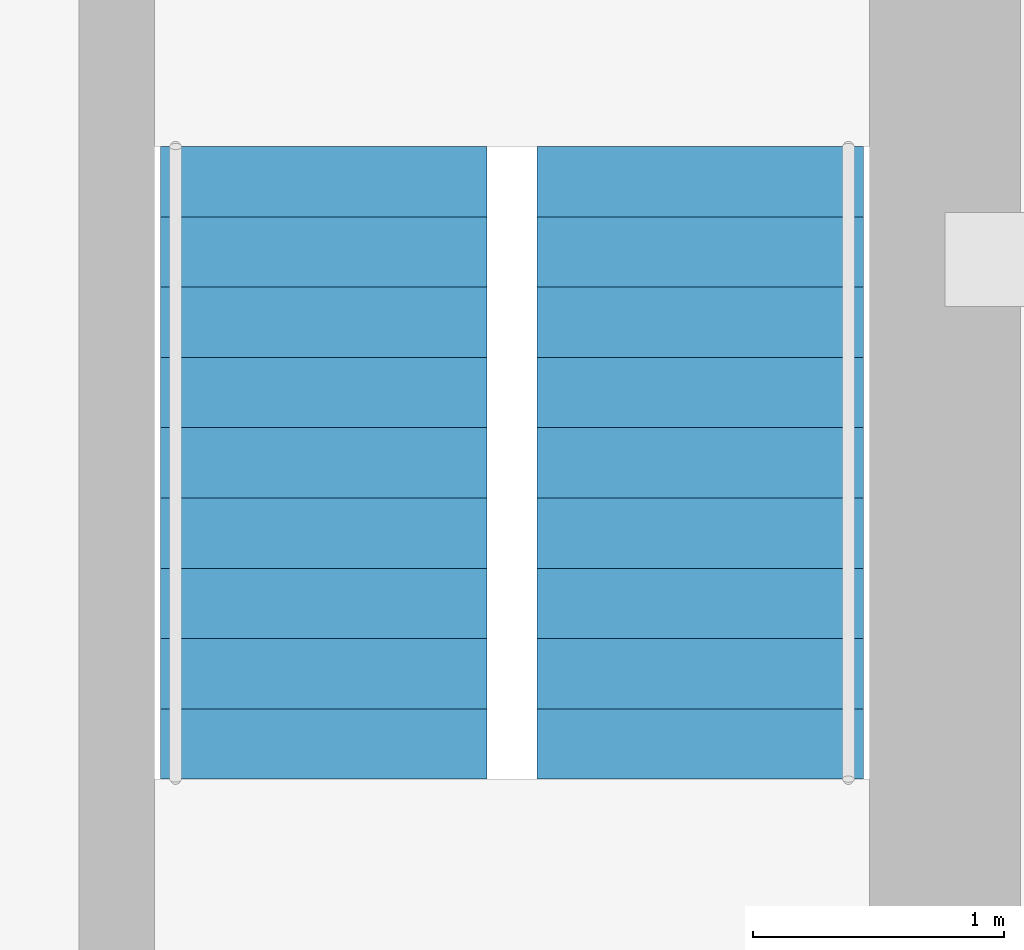
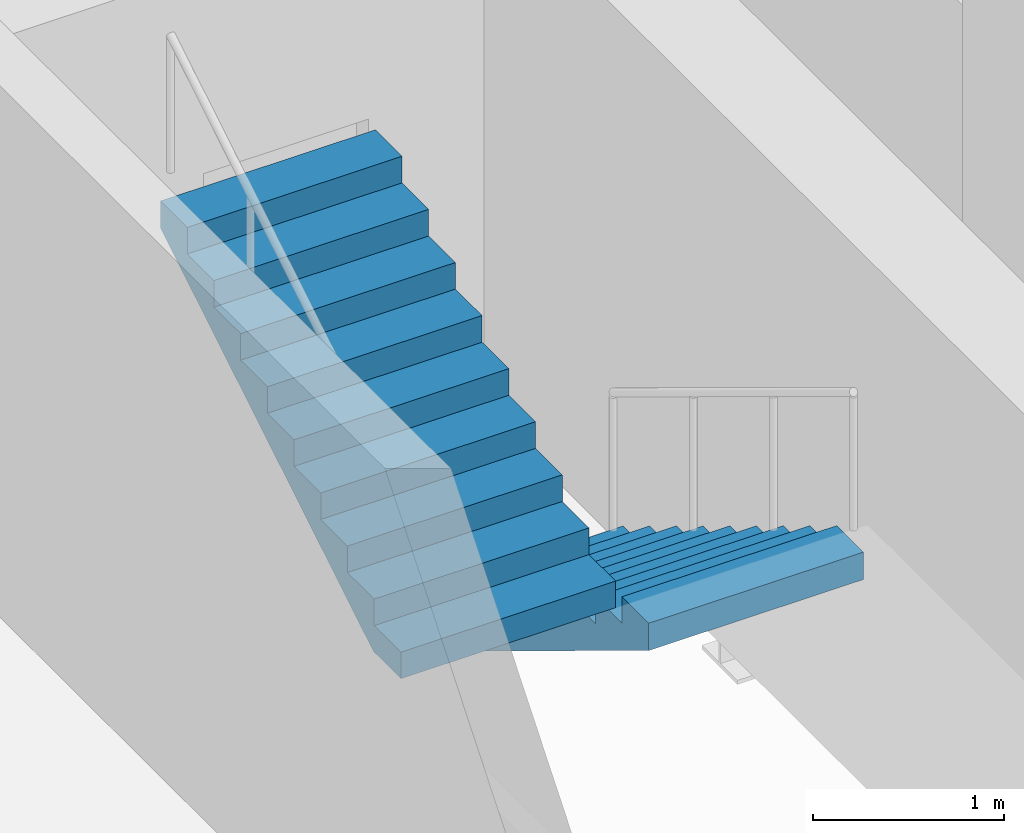
# One storey, part 11 of 14: 2 stair flights, 1 element without a shape of its own.
"""IFC4 building model written with IfcOpenShell, lengths in metres."""

import ifcopenshell
import ifcopenshell.guid

model = None  # the IFC model being written
_history = None  # IfcOwnerHistory: only IFC2X3 demands one
_inside = {}  # id of a spatial element -> (the spatial element, [elements in it])
_under = {}  # id of a project, library or spatial element -> (it, [spatial elements below it])
_declared = {}  # id of a project -> (the project, [libraries it declares])
_typed = {}  # id of a type object -> (the type object, [elements of that type])
_made_of = {}  # id of a material, layer set ... -> (it, [elements and type objects made of it])


def new_model(schema):
    """Start an empty IFC model of exactly this schema.

    Asked for "IFC4X3", IfcOpenShell would pick the latest addendum, in which some entities
    have other attributes; the version numbers below select the first issue.
    IFC2X3 requires an IfcOwnerHistory on every rooted entity: one is made here for all.
    """
    global model, _history
    if schema == "IFC4X3":
        model = ifcopenshell.file(schema_version=(4, 3, 0, 0))
    else:
        model = ifcopenshell.file(schema=schema)
    _inside.clear()
    _under.clear()
    _declared.clear()
    _typed.clear()
    _made_of.clear()
    _history = None
    if model.schema == "IFC2X3":
        org = make("IfcOrganization", Name="unknown")
        user = make(
            "IfcPersonAndOrganization",
            ThePerson=make("IfcPerson", FamilyName="unknown"),
            TheOrganization=org,
        )
        app = make(
            "IfcApplication",
            ApplicationDeveloper=org,
            Version="unknown",
            ApplicationFullName="unknown",
            ApplicationIdentifier="unknown",
        )
        _history = make(
            "IfcOwnerHistory",
            OwningUser=user,
            OwningApplication=app,
            ChangeAction="ADDED",
            CreationDate=0,
        )
    return model


def make(cls, **values):
    """One entity of the class cls with the attributes given. An attribute that is None is left unset."""
    return model.create_entity(
        cls, **{name: value for name, value in values.items() if value is not None}
    )


def rooted(cls, **values):
    """An entity with a GlobalId (a new one), such as an element, a storey or a relation."""
    return make(cls, GlobalId=ifcopenshell.guid.new(), OwnerHistory=_history, **values)


def si_unit(unit_type, name, prefix=None):
    """IfcSIUnit, for example si_unit("LENGTHUNIT", "METRE", prefix="MILLI")."""
    return make("IfcSIUnit", UnitType=unit_type, Prefix=prefix, Name=name)


def assignment(units):
    """IfcUnitAssignment: the units of a project."""
    return None if units is None else make("IfcUnitAssignment", Units=units)


def point(xyz):
    """IfcCartesianPoint."""
    return None if xyz is None else make("IfcCartesianPoint", Coordinates=xyz)


def direction(xyz):
    """IfcDirection."""
    return None if xyz is None else make("IfcDirection", DirectionRatios=xyz)


def frame(location, z_axis=None, x_axis=None):
    """IfcAxis2Placement3D, a coordinate frame: its origin and axes. An axis left out is left unset."""
    return make(
        "IfcAxis2Placement3D",
        Location=point(location),
        Axis=direction(z_axis),
        RefDirection=direction(x_axis),
    )


def origin():
    """The frame at (0, 0, 0) with its axes left unset."""
    return frame((0.0, 0.0, 0.0))


def place(relative_to, where):
    """IfcLocalPlacement: puts the frame where relative to a parent placement (None: the world)."""
    return make(
        "IfcLocalPlacement", PlacementRelTo=relative_to, RelativePlacement=where
    )


def context(
    kind, dimensions, precision=None, world=None, true_north=None, identifier=None
):
    """IfcGeometricRepresentationContext, for example the 3D "Model" context."""
    return make(
        "IfcGeometricRepresentationContext",
        ContextIdentifier=identifier,
        ContextType=kind,
        CoordinateSpaceDimension=dimensions,
        Precision=precision,
        WorldCoordinateSystem=world,
        TrueNorth=true_north,
    )


def subcontext(parent, identifier, kind, view, scale=None):
    """IfcGeometricRepresentationSubContext, for example "Body" below "Model"."""
    return make(
        "IfcGeometricRepresentationSubContext",
        ContextIdentifier=identifier,
        ContextType=kind,
        ParentContext=parent,
        TargetScale=scale,
        TargetView=view,
    )


def project(units=None, contexts=None):
    """IfcProject with its units and contexts."""
    return rooted(
        "IfcProject",
        Name="project",
        RepresentationContexts=contexts,
        UnitsInContext=assignment(units),
    )


def spatial(cls, under=None, at=None, **own):
    """A site, building, storey or space (cls), placed at a placement, below another one or the project."""
    s = rooted(cls, ObjectPlacement=at, **own)
    if under is not None:
        _under.setdefault(under.id(), (under, []))[1].append(s)
    return s


def polyline(points):
    """IfcPolyline through the points."""
    return make("IfcPolyline", Points=[point(p) for p in points])


def outline(outer, holes=None, kind="AREA"):
    """IfcArbitraryClosedProfileDef: a profile drawn as a closed curve; with holes, ...WithVoids."""
    if holes is None:
        return make("IfcArbitraryClosedProfileDef", ProfileType=kind, OuterCurve=outer)
    return make(
        "IfcArbitraryProfileDefWithVoids",
        ProfileType=kind,
        OuterCurve=outer,
        InnerCurves=holes,
    )


def extrude(swept, where, along, depth):
    """IfcExtrudedAreaSolid: the profile swept, set in the frame where, extruded along a direction by depth."""
    return make(
        "IfcExtrudedAreaSolid",
        SweptArea=swept,
        Position=where,
        ExtrudedDirection=direction(along),
        Depth=depth,
    )


def shape(context_of_items, identifier, shape_type, items):
    """IfcShapeRepresentation: the items that make up one representation, for example the "Body"."""
    return make(
        "IfcShapeRepresentation",
        ContextOfItems=context_of_items,
        RepresentationIdentifier=identifier,
        RepresentationType=shape_type,
        Items=items,
    )


def material(Name=None, Category=None):
    """IfcMaterial."""
    return make("IfcMaterial", Name=Name, Category=Category)


def made_of(thing, what):
    """Note that an element or type object is made of a material, layer set ...; save() writes the relation."""
    if what is not None:
        _made_of.setdefault(what.id(), (what, []))[1].append(thing)
    return thing


def type_object(cls, material=None, **own):
    """A type object (cls), such as IfcWallType, which elements share."""
    return made_of(rooted(cls, **own), material)


def element(
    cls,
    number,
    at=None,
    inside=None,
    cuts=None,
    type_object=None,
    material=None,
    context=None,
    identifier="Body",
    shape_type=None,
    held_by="IfcProductDefinitionShape",
    body=None,
    shapes=None,
    **own,
):
    """One element of the class cls, such as IfcWall. Its Tag is "e" and its number.

    at: its placement. inside: the storey or other place that contains it. cuts: it is an
    opening in that element (IfcRelVoidsElement). A single representation is given by context,
    identifier, shape_type and body (its items); several are given by shapes. held_by: the class
    of the entity that holds the representations. save() writes the other relations.
    """
    e = rooted(cls, Tag="e%d" % number, ObjectPlacement=at, **own)
    if body is not None:
        shapes = [shape(context, identifier, shape_type, body)]
    if shapes is not None:
        e.Representation = make(held_by, Representations=shapes)
    if inside is not None:
        _inside.setdefault(inside.id(), (inside, []))[1].append(e)
    if cuts is not None:
        rooted(
            "IfcRelVoidsElement", RelatingBuildingElement=cuts, RelatedOpeningElement=e
        )
    if type_object is not None:
        _typed.setdefault(type_object.id(), (type_object, []))[1].append(e)
    return made_of(e, material)


def aggregate(whole, parts):
    """IfcRelAggregates: a whole, such as a stair, and the parts it consists of."""
    return rooted("IfcRelAggregates", RelatingObject=whole, RelatedObjects=parts)


def save(model, path):
    """Write the relations noted so far, then the file.

    IfcRelAggregates (storeys below a building ...), IfcRelContainedInSpatialStructure (elements
    in a storey), IfcRelDefinesByType, IfcRelAssociatesMaterial and IfcRelDeclares: one each for
    every whole, place, type object, material and project.
    """
    for whole, parts in _under.values():
        aggregate(whole, parts)
    for where, things in _inside.values():
        rooted(
            "IfcRelContainedInSpatialStructure",
            RelatedElements=things,
            RelatingStructure=where,
        )
    for kind, things in _typed.values():
        rooted("IfcRelDefinesByType", RelatedObjects=things, RelatingType=kind)
    for what, things in _made_of.values():
        rooted("IfcRelAssociatesMaterial", RelatedObjects=things, RelatingMaterial=what)
    for by, libraries in _declared.values():
        rooted("IfcRelDeclares", RelatingContext=by, RelatedDefinitions=libraries)
    model.write(path)


model = new_model("IFC4")

# Units and contexts
model_context = context("Model", 3, precision=1e-05, world=origin(), true_north=direction((0.0, 1.0)))
body_context = subcontext(model_context, "Body", "Model", "MODEL_VIEW")
ifc_project = project(units=[si_unit("LENGTHUNIT", "METRE"), si_unit("AREAUNIT", "SQUARE_METRE"), si_unit("VOLUMEUNIT", "CUBIC_METRE"), si_unit("PLANEANGLEUNIT", "RADIAN"), si_unit("MASSUNIT", "GRAM", prefix="KILO")], contexts=[model_context])

# Site, building, storey
site_placement = place(None, origin())
site = spatial("IfcSite", under=ifc_project, at=site_placement, CompositionType="ELEMENT")
building_placement = place(site_placement, origin())
building = spatial("IfcBuilding", under=site, at=building_placement, Name="Loomwork Tower", CompositionType="ELEMENT")
storey_placement = place(building_placement, frame((0.0, 0.0, 170.60009765625)))
storey = spatial("IfcBuildingStorey", under=building, at=storey_placement, Name="L46", CompositionType="ELEMENT", Elevation=170.60009765625)

# Stair, stair flights
ifc_material_1 = material(Name="Concrete 5000 psi (34 MPa) precast stair", Category="concrete")
stair_type = type_object("IfcStairType", Name="Stair ST-B 20 risers 2850 wide", PredefinedType="HALF_TURN_STAIR", material=ifc_material_1)
stair_placement = place(storey_placement, origin())
stair = element("IfcStair", 1, at=stair_placement, inside=storey, type_object=stair_type, Name="Stair B L46", PredefinedType="HALF_TURN_STAIR")
ifc_material_2 = material(Name="Concrete 5000 psi (34 MPa) precast stair", Category="concrete")
stair_flight_type = type_object("IfcStairFlightType", Name="Stair flight ST-B 10 risers 1300 wide", PredefinedType="STRAIGHT", material=ifc_material_2)
stair_flight_1_placement = place(storey_placement, frame((32.925048828125, 18.449951171875, 0.0), z_axis=(0.0, 0.0, 1.0), x_axis=(0.0, -1.0, 0.0)))
stair_flight_1 = element("IfcStairFlight", 2, at=stair_flight_1_placement, type_object=stair_flight_type, Name="ST-B flight 1", NumberOfRisers=10, NumberOfTreads=9, PredefinedType="STRAIGHT", RiserHeight=0.17, TreadLength=0.28, context=body_context, shape_type="SweptSolid", body=[
    extrude(outline(polyline([(0.0, 0.0), (0.0, 0.169921875), (0.280029296875, 0.169921875), (0.280029296875, 0.340087890625), (0.56005859375, 0.340087890625), (0.56005859375, 0.510009765625), (0.840087890625, 0.510009765625), (0.840087890625, 0.679931640625), (1.1201171875, 0.679931640625), (1.1201171875, 0.85009765625), (1.39990234375, 0.85009765625), (1.39990234375, 1.02001953125), (1.679931640625, 1.02001953125), (1.679931640625, 1.18994140625), (1.9599609375, 1.18994140625), (1.9599609375, 1.360107421875), (2.239990234375, 1.360107421875), (2.239990234375, 1.530029296875), (2.52001953125, 1.530029296875), (2.52001953125, 1.699951171875), (2.52001953125, 1.354736328125), (0.288818359375, 0.0), (0.0, 0.0)])), frame((0.0, 0.64990234375, 0.0), z_axis=(0.0, -1.0, 0.0), x_axis=(1.0, 0.0, 0.0)), (0.0, 0.0, 1.0), 1.300048828125),
])
stair_flight_2_placement = place(storey_placement, frame((31.425048828125, 15.929931640625, 1.699951171875), z_axis=(0.0, 0.0, 1.0), x_axis=(0.0, 1.0, 0.0)))
stair_flight_2 = element("IfcStairFlight", 3, at=stair_flight_2_placement, type_object=stair_flight_type, Name="ST-B flight 2", NumberOfRisers=10, NumberOfTreads=9, PredefinedType="STRAIGHT", RiserHeight=0.17, TreadLength=0.28, context=body_context, shape_type="SweptSolid", body=[
    extrude(outline(polyline([(0.0, 0.0), (0.0, 0.169921875), (0.280029296875, 0.169921875), (0.280029296875, 0.340087890625), (0.56005859375, 0.340087890625), (0.56005859375, 0.510009765625), (0.840087890625, 0.510009765625), (0.840087890625, 0.679931640625), (1.1201171875, 0.679931640625), (1.1201171875, 0.85009765625), (1.39990234375, 0.85009765625), (1.39990234375, 1.02001953125), (1.679931640625, 1.02001953125), (1.679931640625, 1.18994140625), (1.9599609375, 1.18994140625), (1.9599609375, 1.360107421875), (2.239990234375, 1.360107421875), (2.239990234375, 1.530029296875), (2.52001953125, 1.530029296875), (2.52001953125, 1.699951171875), (2.52001953125, 1.354736328125), (0.288818359375, 0.0), (0.0, 0.0)])), frame((0.0, 0.64990234375, 0.0), z_axis=(0.0, -1.0, 0.0), x_axis=(1.0, 0.0, 0.0)), (0.0, 0.0, 1.0), 1.300048828125),
])
aggregate(stair, [stair_flight_1, stair_flight_2])

save(model, "model.ifc")
